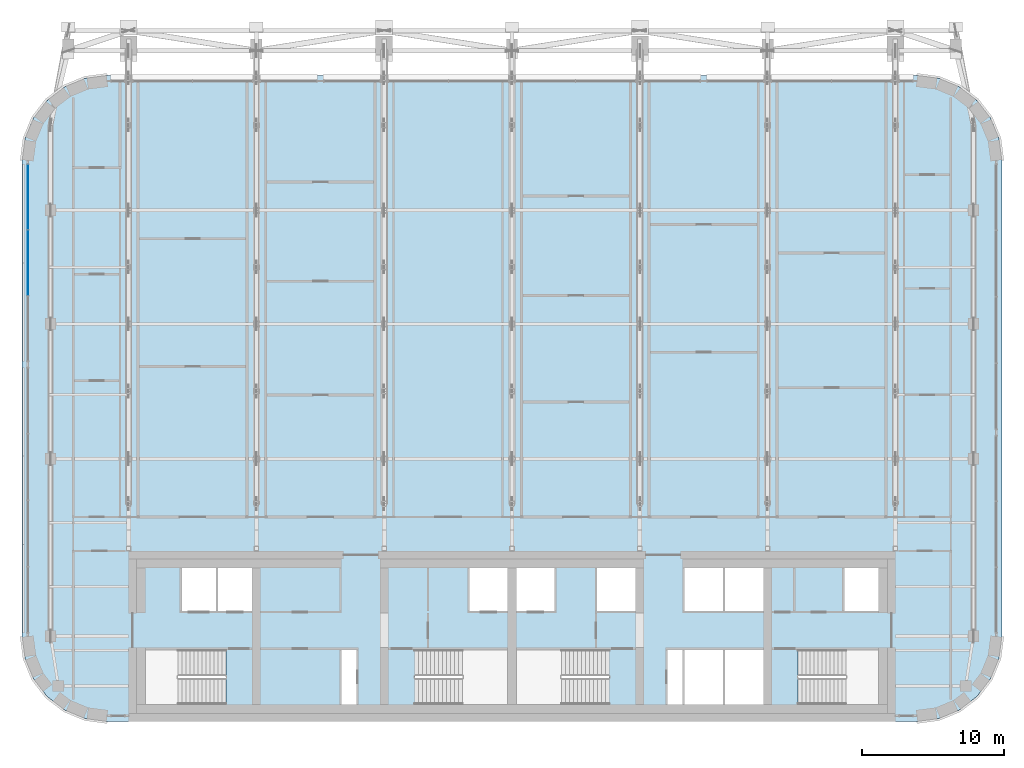
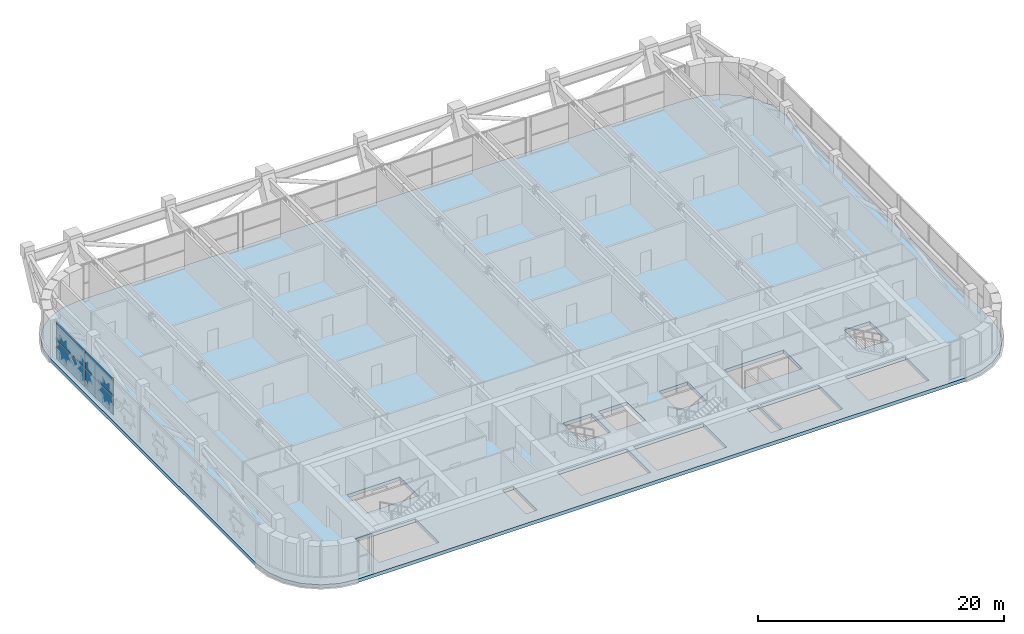
# One storey, part 16 of 28: 4 plates, 1 slab, 1 element without a shape of its own.
"""IFC4 building model written with IfcOpenShell, lengths in metres."""

from ifc_helpers import new_model, si_unit, direction, frame, origin, origin_2d, place, context, subcontext, project, spatial, polyline, rectangle, outline, extrude, material, layer, layer_set, type_object, element, aggregate, save


model = new_model("IFC4")

# Units and contexts
model_context = context("Model", 3, precision=1e-05, world=origin(), true_north=direction((0.0, 1.0)))
body_context = subcontext(model_context, "Body", "Model", "MODEL_VIEW")
ifc_project = project(units=[si_unit("LENGTHUNIT", "METRE"), si_unit("AREAUNIT", "SQUARE_METRE"), si_unit("VOLUMEUNIT", "CUBIC_METRE"), si_unit("PLANEANGLEUNIT", "RADIAN"), si_unit("MASSUNIT", "GRAM", prefix="KILO")], contexts=[model_context])

# Site, building, storey
site_placement = place(None, origin())
site = spatial("IfcSite", under=ifc_project, at=site_placement, CompositionType="ELEMENT")
building_placement = place(site_placement, origin())
building = spatial("IfcBuilding", under=site, at=building_placement, Name="Zellij Exchange Tower", CompositionType="ELEMENT")
storey_placement = place(building_placement, frame((0.0, 0.0, 268.5)))
storey = spatial("IfcBuildingStorey", under=building, at=storey_placement, Name="L63", CompositionType="ELEMENT", Elevation=268.5)

# Curtain wall, plates
ifc_material_1 = material(Name="Aluminium frame, clear insulating glass", Category="aluminium")
curtain_wall_type = type_object("IfcCurtainWallType", Name="ENV-CW2 Outrigger-storey glazing", PredefinedType="NOTDEFINED", material=ifc_material_1)
curtain_wall_placement = place(storey_placement, origin())
curtain_wall = element("IfcCurtainWall", 1, at=curtain_wall_placement, inside=storey, type_object=curtain_wall_type, Name="cw.L63.21a", PredefinedType="NOTDEFINED")
ifc_material_2 = material(Name="Aluminium louvre", Category="aluminium")
ifc_layer_1 = layer(ifc_material_2, 0.031982421875)
ifc_layer_set_1 = layer_set([ifc_layer_1], Name="Aluminium louvre")
plate_type_1 = type_object("IfcPlateType", Name="ENV-CW2L Louvred panel 32", PredefinedType="CURTAIN_PANEL", material=ifc_layer_set_1)
plate_1_placement = place(storey_placement, frame((-34.10009765625, 22.936279296875, 1.919921875), z_axis=(0.0, 0.0, 1.0), x_axis=(0.0, -1.0, 0.0)))
plate_1 = element("IfcPlate", 2, at=plate_1_placement, type_object=plate_type_1, Name="CW2 panel 1.2", PredefinedType="CURTAIN_PANEL", context=body_context, shape_type="SweptSolid", body=[
    extrude(rectangle(XDim=4.554931640625, YDim=0.031982421875, at=origin_2d()), origin(), (0.0, 0.0, 1.0), 1.800048828125),
])
plate_2_placement = place(storey_placement, frame((-34.10009765625, 18.306396484375, 0.06005859375), z_axis=(0.0, 0.0, 1.0), x_axis=(0.0, -1.0, 0.0)))
plate_2 = element("IfcPlate", 3, at=plate_2_placement, type_object=plate_type_1, Name="CW2 panel 2.1", PredefinedType="CURTAIN_PANEL", context=body_context, shape_type="SweptSolid", body=[
    extrude(rectangle(XDim=4.5849609375, YDim=0.031982421875, at=origin_2d()), origin(), (0.0, 0.0, 1.0), 1.800048828125),
])
plate_3_placement = place(storey_placement, frame((-34.10009765625, 18.306396484375, 1.919921875), z_axis=(0.0, 0.0, 1.0), x_axis=(0.0, -1.0, 0.0)))
plate_3 = element("IfcPlate", 4, at=plate_3_placement, type_object=plate_type_1, Name="CW2 panel 2.2", PredefinedType="CURTAIN_PANEL", context=body_context, shape_type="SweptSolid", body=[
    extrude(rectangle(XDim=4.5849609375, YDim=0.031982421875, at=origin_2d()), origin(), (0.0, 0.0, 1.0), 1.800048828125),
])
ifc_material_3 = material(Name="Insulating glass unit, clear", Category="glass")
ifc_layer_2 = layer(ifc_material_3, 0.031982421875)
ifc_layer_set_2 = layer_set([ifc_layer_2], Name="Insulating glass unit, clear")
plate_type_2 = type_object("IfcPlateType", Name="ENV-CW2P Glazed panel 32", PredefinedType="CURTAIN_PANEL", material=ifc_layer_set_2)
plate_4_placement = place(storey_placement, frame((-34.10009765625, 22.936279296875, 0.06005859375), z_axis=(0.0, 0.0, 1.0), x_axis=(0.0, -1.0, 0.0)))
plate_4 = element("IfcPlate", 5, at=plate_4_placement, type_object=plate_type_2, Name="CW2 panel 1.1", PredefinedType="CURTAIN_PANEL", context=body_context, shape_type="SweptSolid", body=[
    extrude(rectangle(XDim=4.554931640625, YDim=0.031982421875, at=origin_2d()), origin(), (0.0, 0.0, 1.0), 1.800048828125),
])
aggregate(curtain_wall, [plate_4, plate_1, plate_2, plate_3])

# Slab
ifc_material_4 = material(Name="Concrete C40/50", Category="concrete")
ifc_layer_3 = layer(ifc_material_4, 0.35009765625)
ifc_layer_set_3 = layer_set([ifc_layer_3], Name="Concrete C40/50")
slab_type = type_object("IfcSlabType", Name="STR-FLOOR SLAB 350 C40/50", PredefinedType="FLOOR", material=ifc_layer_set_3)
slab_placement = place(storey_placement, frame((0.0, 0.0, -0.35009765625)))
element("IfcSlab", 6, at=slab_placement, inside=storey, type_object=slab_type, Name="Floor L63", PredefinedType="FLOOR", context=body_context, shape_type="SweptSolid", body=[
    extrude(outline(polyline([(-28.5, -14.0), (-30.052978515625, -13.795654296875), (-31.5, -13.1962890625), (-32.74267578125, -12.24267578125), (-33.6962890625, -11.0), (-34.295654296875, -9.552978515625), (-34.5, -8.0), (-34.5, 25.5), (-34.295654296875, 27.052978515625), (-33.6962890625, 28.5), (-32.74267578125, 29.74267578125), (-31.5, 30.6962890625), (-30.052978515625, 31.295654296875), (-28.5, 31.5), (28.5, 31.5), (30.052978515625, 31.295654296875), (31.5, 30.6962890625), (32.74267578125, 29.74267578125), (33.6962890625, 28.5), (34.295654296875, 27.052978515625), (34.5, 25.5), (34.5, -8.0), (34.295654296875, -9.552978515625), (33.6962890625, -11.0), (32.74267578125, -12.24267578125), (31.5, -13.1962890625), (30.052978515625, -13.795654296875), (28.5, -14.0), (-28.5, -14.0)]), holes=[polyline([(-25.800048828125, -8.949951171875), (-25.800048828125, -12.800048828125), (-20.153076171875, -12.800048828125), (-20.153076171875, -8.949951171875), (-25.800048828125, -8.949951171875)]), polyline([(-10.949951171875, -8.949951171875), (-12.0, -8.949951171875), (-12.0, -12.800048828125), (-10.949951171875, -12.800048828125), (-10.949951171875, -8.949951171875)]), polyline([(-0.300048828125, -8.949951171875), (-6.846923828125, -8.949951171875), (-6.846923828125, -12.800048828125), (-0.300048828125, -12.800048828125), (-0.300048828125, -8.949951171875)]), polyline([(0.300048828125, -8.949951171875), (0.300048828125, -12.800048828125), (6.846923828125, -12.800048828125), (6.846923828125, -8.949951171875), (0.300048828125, -8.949951171875)]), polyline([(-18.300048828125, -3.199951171875), (-23.25, -3.199951171875), (-23.25, -6.22509765625), (-18.300048828125, -6.22509765625), (-18.300048828125, -3.199951171875)]), polyline([(-0.300048828125, -3.199951171875), (-3.0, -3.199951171875), (-3.0, -6.22509765625), (-0.300048828125, -6.22509765625), (-0.300048828125, -3.199951171875)]), polyline([(0.300048828125, -3.199951171875), (0.300048828125, -6.22509765625), (3.0, -6.22509765625), (3.0, -3.199951171875), (0.300048828125, -3.199951171875)]), polyline([(12.0, -8.949951171875), (10.949951171875, -8.949951171875), (10.949951171875, -12.800048828125), (12.0, -12.800048828125), (12.0, -8.949951171875)]), polyline([(17.699951171875, -8.949951171875), (12.14990234375, -8.949951171875), (12.14990234375, -12.800048828125), (17.699951171875, -12.800048828125), (17.699951171875, -8.949951171875)]), polyline([(25.800048828125, -8.949951171875), (20.153076171875, -8.949951171875), (20.153076171875, -12.800048828125), (25.800048828125, -12.800048828125), (25.800048828125, -8.949951171875)]), polyline([(8.699951171875, -3.199951171875), (6.0, -3.199951171875), (6.0, -6.22509765625), (8.699951171875, -6.22509765625), (8.699951171875, -3.199951171875)]), polyline([(17.699951171875, -3.199951171875), (12.14990234375, -3.199951171875), (12.14990234375, -6.22509765625), (17.699951171875, -6.22509765625), (17.699951171875, -3.199951171875)]), polyline([(25.800048828125, -3.199951171875), (23.39990234375, -3.199951171875), (23.39990234375, -6.22509765625), (25.800048828125, -6.22509765625), (25.800048828125, -3.199951171875)])]), origin(), (0.0, 0.0, 1.0), 0.35009765625),
])

save(model, "model.ifc")
